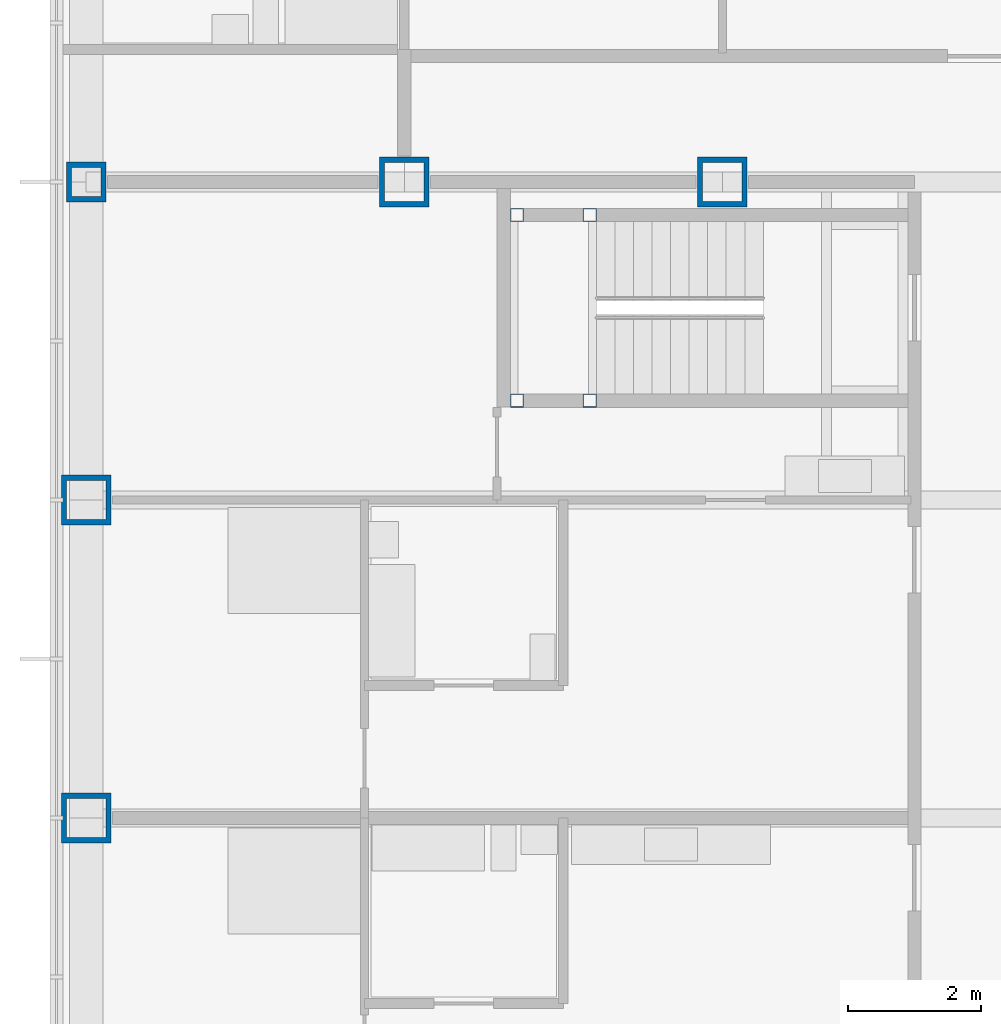
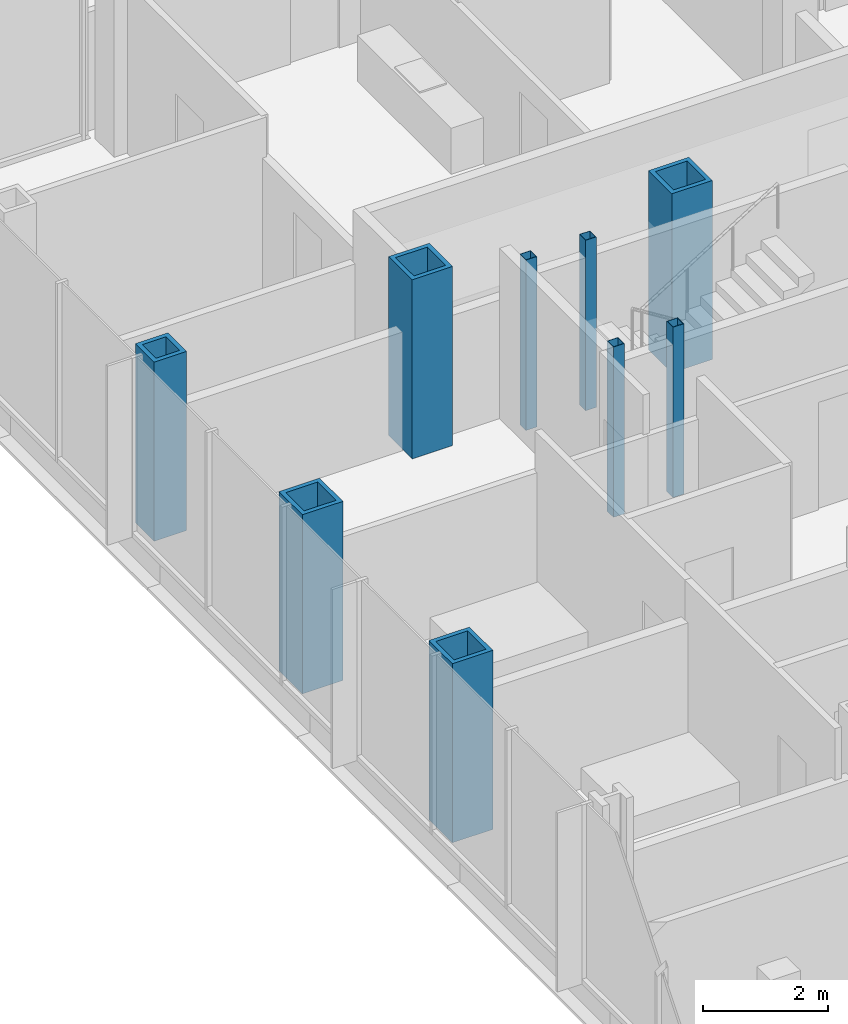
# One storey, part 3 of 21: 9 columns.
"""IFC4 building model written with IfcOpenShell, lengths in metres."""

from ifc_helpers import new_model, si_unit, direction, frame, origin, origin_2d, place, context, subcontext, project, spatial, hollow_rectangle, extrude, material, material_profile, profile_set, type_object, element, save


model = new_model("IFC4")

# Units and contexts
model_context = context("Model", 3, precision=1e-05, world=origin(), true_north=direction((0.0, 1.0)))
body_context = subcontext(model_context, "Body", "Model", "MODEL_VIEW")
ifc_project = project(units=[si_unit("LENGTHUNIT", "METRE"), si_unit("AREAUNIT", "SQUARE_METRE"), si_unit("VOLUMEUNIT", "CUBIC_METRE"), si_unit("PLANEANGLEUNIT", "RADIAN"), si_unit("MASSUNIT", "GRAM", prefix="KILO")], contexts=[model_context])

# Site, building, storey
site_placement = place(None, origin())
site = spatial("IfcSite", under=ifc_project, at=site_placement, CompositionType="ELEMENT")
building_placement = place(site_placement, origin())
building = spatial("IfcBuilding", under=site, at=building_placement, Name="Kvirike Care Tower", CompositionType="ELEMENT")
storey_placement = place(building_placement, frame((0.0, 0.0, 48.0)))
storey = spatial("IfcBuildingStorey", under=building, at=storey_placement, Name="L12", CompositionType="ELEMENT", Elevation=48.0)

# Columns
ifc_material_1 = material(Name="Steel S460", Category="steel")
ifc_material_profile_1 = material_profile(ifc_material_1, hollow_rectangle(XDim=0.60009765625, YDim=0.60009765625, WallThickness=0.080078125, at=origin_2d()), Name="BX 600x600x80")
ifc_profile_set_1 = profile_set([ifc_material_profile_1], Name="Steel S460")
column_type_1 = type_object("IfcColumnType", Name="COLUMN BX 600x600x80", PredefinedType="COLUMN", material=ifc_profile_set_1)
column_placement = place(storey_placement, frame((0.0, 43.199951171875, 0.0), z_axis=(0.0, 0.0, 1.0), x_axis=(0.0, 1.0, 0.0)))
element("IfcColumn", 1, at=column_placement, inside=storey, type_object=column_type_1, Name="Column K3 L12", PredefinedType="COLUMN", context=body_context, shape_type="SweptSolid", body=[
    extrude(hollow_rectangle(XDim=0.60009765625, YDim=0.60009765625, WallThickness=0.080078125, at=origin_2d()), origin(), (0.0, 0.0, 1.0), 3.5),
])
ifc_material_2 = material(Name="Steel S460", Category="steel")
ifc_material_profile_2 = material_profile(ifc_material_2, hollow_rectangle(XDim=0.75, YDim=0.75, WallThickness=0.080078125, at=origin_2d()), Name="BX 750x750x80")
ifc_profile_set_2 = profile_set([ifc_material_profile_2], Name="Steel S460")
column_type_2 = type_object("IfcColumnType", Name="COLUMN BX 750x750x80", PredefinedType="COLUMN", material=ifc_profile_set_2)
for number, where, z_axis, x_axis, name in (
    (2, (0.0, 33.60009765625, 0.0), (0.0, 0.0, 1.0), (1.0, 0.0, 0.0), "Column H3 L12"),
    (3, (0.0, 38.39990234375, 0.0), (0.0, 0.0, 1.0), (1.0, 0.0, 0.0), "Column J3 L12"),
    (4, (4.800048828125, 43.199951171875, 0.0), (0.0, 0.0, 1.0), (0.0, 1.0, 0.0), "Column K4 L12"),
    (5, (9.60009765625, 43.199951171875, 0.0), (0.0, 0.0, 1.0), (0.0, 1.0, 0.0), "Column K5 L12"),
):
    element("IfcColumn", number, at=place(storey_placement, frame(where, z_axis=z_axis, x_axis=x_axis)), inside=storey, type_object=column_type_2, Name=name, PredefinedType="COLUMN", context=body_context, shape_type="SweptSolid", body=[
        extrude(hollow_rectangle(XDim=0.75, YDim=0.75, WallThickness=0.080078125, at=origin_2d()), origin(), (0.0, 0.0, 1.0), 3.5),
    ])
ifc_material_3 = material(Name="Steel S460", Category="steel")
ifc_material_profile_3 = material_profile(ifc_material_3, hollow_rectangle(XDim=0.199951171875, YDim=0.199951171875, WallThickness=0.008056640625, at=origin_2d()), Name="SHS 200x200x8")
ifc_profile_set_3 = profile_set([ifc_material_profile_3], Name="Steel S460")
column_type_3 = type_object("IfcColumnType", Name="STAIR POST SHS 200x200x8", PredefinedType="COLUMN", material=ifc_profile_set_3)
for number, where, z_axis, x_axis, name in (
    (6, (6.5, 42.699951171875, 0.0), (0.0, 0.0, 1.0), (1.0, 0.0, 0.0), "Stair 1 post 1 L12"),
    (7, (6.5, 39.89990234375, 0.0), (0.0, 0.0, 1.0), (1.0, 0.0, 0.0), "Stair 1 post 2 L12"),
    (8, (7.60009765625, 42.699951171875, 0.0), (0.0, 0.0, 1.0), (1.0, 0.0, 0.0), "Stair 1 post 3 L12"),
    (9, (7.60009765625, 39.89990234375, 0.0), (0.0, 0.0, 1.0), (1.0, 0.0, 0.0), "Stair 1 post 4 L12"),
):
    element("IfcColumn", number, at=place(storey_placement, frame(where, z_axis=z_axis, x_axis=x_axis)), inside=storey, type_object=column_type_3, Name=name, PredefinedType="COLUMN", context=body_context, shape_type="SweptSolid", body=[
        extrude(hollow_rectangle(XDim=0.199951171875, YDim=0.199951171875, WallThickness=0.008056640625, at=origin_2d()), origin(), (0.0, 0.0, 1.0), 3.330078125),
    ])

save(model, "model.ifc")
